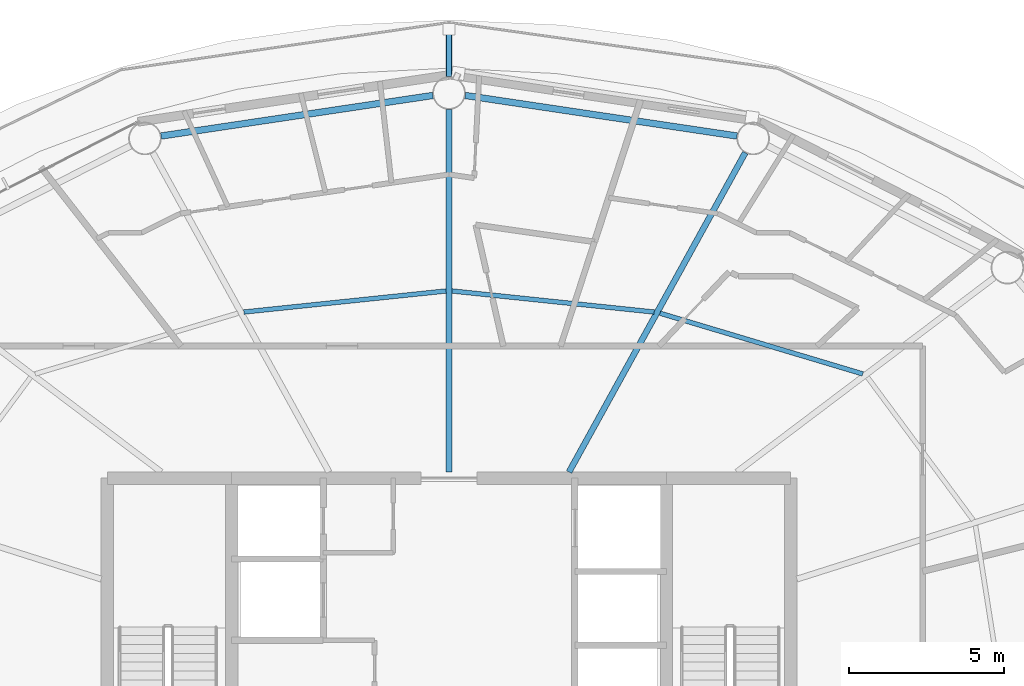
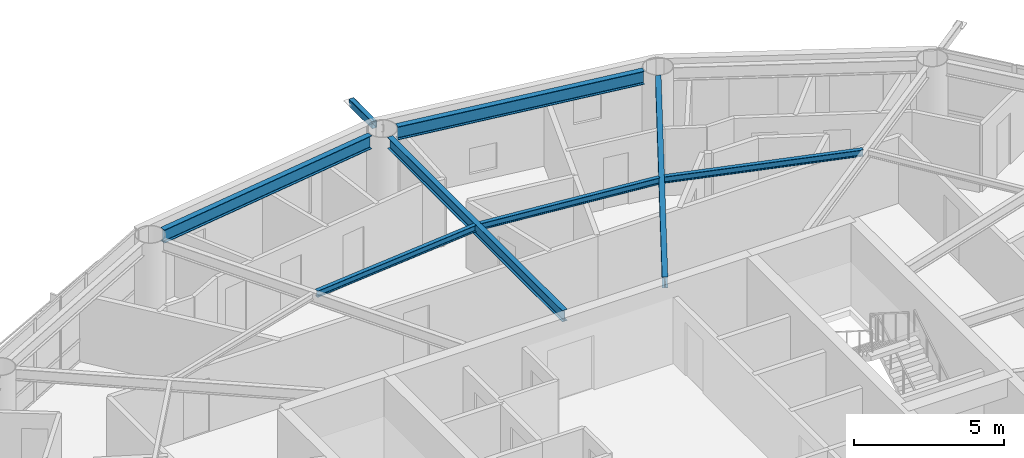
# One storey, part 10 of 23: 7 beams, 1 member.
"""IFC4 building model written with IfcOpenShell, lengths in metres."""

from ifc_helpers import new_model, si_unit, direction, frame, origin, origin_2d, place, context, subcontext, project, spatial, hollow_rectangle, i_section, extrude, material, material_profile, profile_set, type_object, element, save


model = new_model("IFC4")

# Units and contexts
model_context = context("Model", 3, precision=1e-05, world=origin(), true_north=direction((0.0, 1.0)))
body_context = subcontext(model_context, "Body", "Model", "MODEL_VIEW")
ifc_project = project(units=[si_unit("LENGTHUNIT", "METRE"), si_unit("AREAUNIT", "SQUARE_METRE"), si_unit("VOLUMEUNIT", "CUBIC_METRE"), si_unit("PLANEANGLEUNIT", "RADIAN"), si_unit("MASSUNIT", "GRAM", prefix="KILO")], contexts=[model_context])

# Site, building, storey
site_placement = place(None, origin())
site = spatial("IfcSite", under=ifc_project, at=site_placement, CompositionType="ELEMENT")
building_placement = place(site_placement, origin())
building = spatial("IfcBuilding", under=site, at=building_placement, Name="Sarneth Arch Tower", CompositionType="ELEMENT")
storey_placement = place(building_placement, frame((0.0, 0.0, 242.39990234375)))
storey = spatial("IfcBuildingStorey", under=building, at=storey_placement, Name="L62", CompositionType="ELEMENT", Elevation=242.39990234375)

# Beams
ifc_material_1 = material(Name="Steel S355", Category="steel")
ifc_material_profile_1 = material_profile(ifc_material_1, i_section(OverallWidth=0.14794921875, OverallDepth=0.26611328125, WebThickness=0.007568359375, FlangeThickness=0.012939453125, FilletRadius=0.012939453125, at=origin_2d()), Name="W250x44.8")
ifc_profile_set_1 = profile_set([ifc_material_profile_1], Name="Steel S355")
beam_type_1 = type_object("IfcBeamType", Name="BM-JOIST-250", PredefinedType="JOIST", material=ifc_profile_set_1)
beam_1_placement = place(storey_placement, frame((61.320068359375, 52.157470703125, 3.22705078125), z_axis=(-0.957984908347, 0.286818610589, 0.0), x_axis=(-0.286818610589, -0.957984908347, 0.0)))
element("IfcBeam", 1, at=beam_1_placement, inside=storey, type_object=beam_type_1, Name="L62 Secondary floor joist 03", PredefinedType="JOIST", context=body_context, shape_type="SweptSolid", body=[
    extrude(i_section(OverallWidth=0.14794921875, OverallDepth=0.26611328125, WebThickness=0.007568359375, FlangeThickness=0.012939453125, FilletRadius=0.012939453125, at=origin_2d()), origin(), (0.0, 0.0, 1.0), 6.81396484375),
])
for number, where, z_axis, x_axis, name in (
    (2, (54.60498046875, 54.1494140625, 3.22705078125), (-0.994616086198, 0.103628379682, 0.0), (-0.103628379682, -0.994616086198, 0.0), "L62 Secondary floor joist 04"),
    (3, (47.904541015625, 54.82763671875, 3.22705078125), (-0.994616086198, -0.103628379682, 0.0), (0.103628379682, -0.994616086198, 0.0), "L62 Secondary floor joist 05"),
):
    element("IfcBeam", number, at=place(storey_placement, frame(where, z_axis=z_axis, x_axis=x_axis)), inside=storey, type_object=beam_type_1, Name=name, PredefinedType="JOIST", context=body_context, shape_type="SweptSolid", body=[
        extrude(i_section(OverallWidth=0.14794921875, OverallDepth=0.26611328125, WebThickness=0.007568359375, FlangeThickness=0.012939453125, FilletRadius=0.012939453125, at=origin_2d()), origin(), (0.0, 0.0, 1.0), 6.544677734375),
    ])
ifc_material_2 = material(Name="Steel S355", Category="steel")
ifc_material_profile_2 = material_profile(ifc_material_2, i_section(OverallWidth=0.19189453125, OverallDepth=0.462890625, WebThickness=0.010498046875, FlangeThickness=0.017578125, FilletRadius=0.01806640625, at=origin_2d()), Name="W460x89")
ifc_profile_set_2 = profile_set([ifc_material_profile_2], Name="Steel S355")
beam_type_2 = type_object("IfcBeamType", Name="BM-RAD-460B", PredefinedType="BEAM", material=ifc_profile_set_2)
beam_2_placement = place(storey_placement, frame((51.86376953125, 49.0, 3.128662109375), z_axis=(0.483225760768, 0.875495781903, 0.0), x_axis=(-0.875495781903, 0.483225760768, 0.0)))
element("IfcBeam", 4, at=beam_2_placement, inside=storey, type_object=beam_type_2, Name="L62 Radial floor girder 04", PredefinedType="BEAM", context=body_context, shape_type="SweptSolid", body=[
    extrude(i_section(OverallWidth=0.19189453125, OverallDepth=0.462890625, WebThickness=0.010498046875, FlangeThickness=0.017578125, FilletRadius=0.01806640625, at=origin_2d()), origin(), (0.0, 0.0, 1.0), 11.740478515625),
])
beam_3_placement = place(storey_placement, frame((48.0, 49.0, 3.128662109375), z_axis=(0.0, 1.0, 0.0), x_axis=(-1.0, 0.0, 0.0)))
element("IfcBeam", 5, at=beam_3_placement, inside=storey, type_object=beam_type_2, Name="L62 Radial floor girder 05", PredefinedType="BEAM", context=body_context, shape_type="SweptSolid", body=[
    extrude(i_section(OverallWidth=0.19189453125, OverallDepth=0.462890625, WebThickness=0.010498046875, FlangeThickness=0.017578125, FilletRadius=0.01806640625, at=origin_2d()), origin(), (0.0, 0.0, 1.0), 11.675048828125),
])
ifc_material_3 = material(Name="Steel S355", Category="steel")
ifc_material_profile_3 = material_profile(ifc_material_3, i_section(OverallWidth=0.2109375, OverallDepth=0.5390625, WebThickness=0.01171875, FlangeThickness=0.018798828125, FilletRadius=0.01806640625, at=origin_2d()), Name="W530x109")
ifc_profile_set_3 = profile_set([ifc_material_profile_3], Name="Steel S355")
beam_type_3 = type_object("IfcBeamType", Name="BM-RAD-530B", PredefinedType="BEAM", material=ifc_profile_set_3)
for number, where, z_axis, x_axis, name in (
    (6, (57.271484375, 59.81591796875, 3.090576171875), (-0.989038715098, 0.147656425652, 0.0), (-0.147656425652, -0.989038715098, 0.0), "L62 Perimeter spandrel beam 04"),
    (7, (47.480712890625, 61.12255859375, 3.090576171875), (-0.989038715098, -0.147656425652, 0.0), (0.147656425652, -0.989038715098, 0.0), "L62 Perimeter spandrel beam 05"),
):
    element("IfcBeam", number, at=place(storey_placement, frame(where, z_axis=z_axis, x_axis=x_axis)), inside=storey, type_object=beam_type_3, Name=name, PredefinedType="BEAM", context=body_context, shape_type="SweptSolid", body=[
        extrude(i_section(OverallWidth=0.2109375, OverallDepth=0.5390625, WebThickness=0.01171875, FlangeThickness=0.018798828125, FilletRadius=0.01806640625, at=origin_2d()), origin(), (0.0, 0.0, 1.0), 8.84912109375),
    ])

# Member
ifc_material_4 = material(Name="Steel S355", Category="steel")
ifc_material_profile_4 = material_profile(ifc_material_4, hollow_rectangle(XDim=0.199951171875, YDim=0.300048828125, WallThickness=0.012451171875, InnerFilletRadius=0.018798828125, OuterFilletRadius=0.03125, at=origin_2d()), Name="RHS300x200x12.5")
ifc_profile_set_4 = profile_set([ifc_material_profile_4], Name="Steel S355")
member_type = type_object("IfcMemberType", Name="MEM-CANT-STRUT", PredefinedType="STRUT", material=ifc_profile_set_4)
member_placement = place(storey_placement, frame((48.0, 61.72509765625, 3.2001953125), z_axis=(0.0, 1.0, 0.0), x_axis=(-1.0, 0.0, 0.0)))
element("IfcMember", 8, at=member_placement, inside=storey, type_object=member_type, Name="L62 Balcony cantilever bracket 05", PredefinedType="STRUT", context=body_context, shape_type="SweptSolid", body=[
    extrude(hollow_rectangle(XDim=0.199951171875, YDim=0.300048828125, WallThickness=0.012451171875, InnerFilletRadius=0.018798828125, OuterFilletRadius=0.03125, at=origin_2d()), origin(), (0.0, 0.0, 1.0), 1.525634765625),
])

save(model, "model.ifc")
